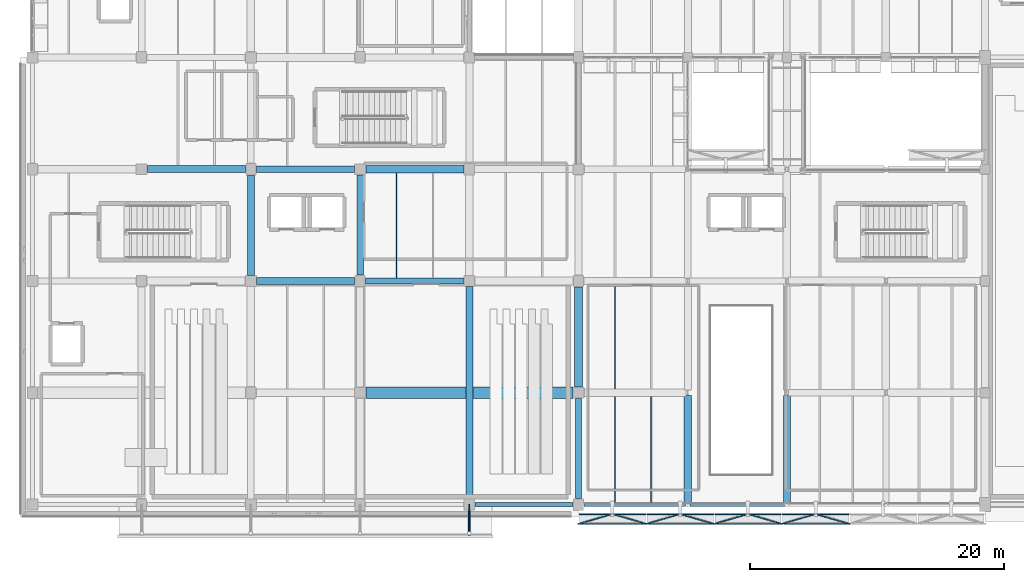
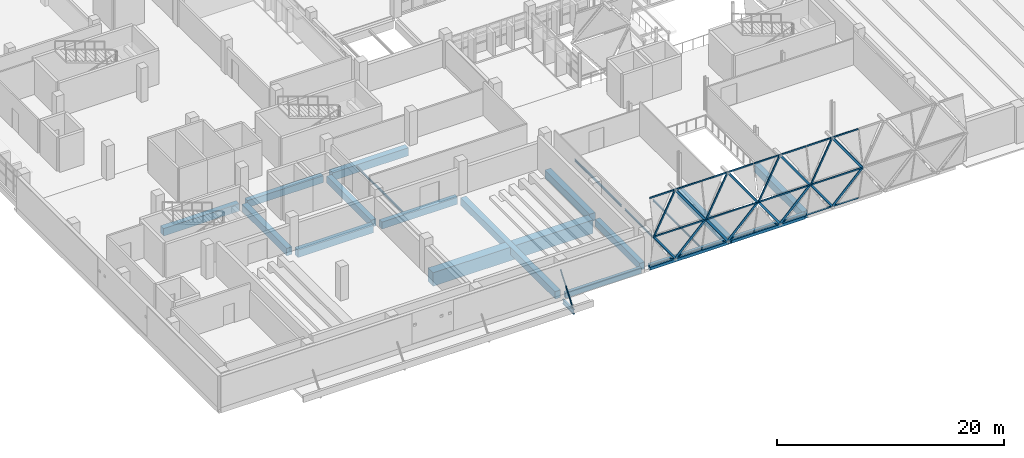
# One storey, part 8 of 80: 29 members, 21 beams, 4 elements without a shape of their own.
"""IFC4 building model written with IfcOpenShell, lengths in metres."""

from ifc_helpers import new_model, si_unit, direction, frame, origin, origin_2d, place, context, subcontext, project, spatial, rectangle, hollow_rectangle, hollow_circle, i_section, extrude, material, material_profile, profile_set, type_object, element, aggregate, save


model = new_model("IFC4")

# Units and contexts
model_context = context("Model", 3, precision=1e-05, world=origin(), true_north=direction((0.0, 1.0)))
body_context = subcontext(model_context, "Body", "Model", "MODEL_VIEW")
ifc_project = project(units=[si_unit("LENGTHUNIT", "METRE"), si_unit("AREAUNIT", "SQUARE_METRE"), si_unit("VOLUMEUNIT", "CUBIC_METRE"), si_unit("PLANEANGLEUNIT", "RADIAN"), si_unit("MASSUNIT", "GRAM", prefix="KILO")], contexts=[model_context])

# Site, building, storey
site_placement = place(None, origin())
site = spatial("IfcSite", under=ifc_project, at=site_placement, CompositionType="ELEMENT")
building_placement = place(site_placement, origin())
building = spatial("IfcBuilding", under=site, at=building_placement, Name="Varnakota Cinema and Media Centre", CompositionType="ELEMENT")
storey_placement = place(building_placement, frame((0.0, 0.0, 4.5)))
storey = spatial("IfcBuildingStorey", under=building, at=storey_placement, Name="L01", CompositionType="ELEMENT", Elevation=4.5)

# Beams
ifc_material_1 = material(Name="Concrete M35", Category="concrete")
ifc_material_profile_1 = material_profile(ifc_material_1, rectangle(XDim=0.5, YDim=0.75, at=origin_2d()), Name="RCB 500x750")
ifc_profile_set_1 = profile_set([ifc_material_profile_1], Name="Concrete M35")
beam_type_1 = type_object("IfcBeamType", Name="BM-RC-500x750", PredefinedType="BEAM", material=ifc_profile_set_1)
beam_1_placement = place(storey_placement, frame((26.22509765625, 17.60009765625, -0.625), z_axis=(1.0, 0.0, 0.0), x_axis=(0.0, 1.0, 0.0)))
element("IfcBeam", 1, at=beam_1_placement, inside=storey, type_object=beam_type_1, Name="L01 girder D-E/3", PredefinedType="BEAM", context=body_context, shape_type="SweptSolid", body=[
    extrude(rectangle(XDim=0.5, YDim=0.75, at=origin_2d()), origin(), (0.0, 0.0, 1.0), 7.724853515625),
])
beam_2_placement = place(storey_placement, frame((17.625, 26.39990234375, -0.625), z_axis=(1.0, 0.0, 0.0), x_axis=(0.0, 1.0, 0.0)))
element("IfcBeam", 2, at=beam_2_placement, inside=storey, type_object=beam_type_1, Name="L01 girder C-D/4", PredefinedType="BEAM", context=body_context, shape_type="SweptSolid", body=[
    extrude(rectangle(XDim=0.5, YDim=0.75, at=origin_2d()), origin(), (0.0, 0.0, 1.0), 7.72509765625),
])
for number, where, z_axis, x_axis, name in (
    (3, (25.800048828125, 18.074951171875, -0.625), (0.0, 1.0, 0.0), (-1.0, 0.0, 0.0), "L01 girder D/3-4"),
    (4, (43.0, 0.47509765625, -0.625), (0.0, 1.0, 0.0), (-1.0, 0.0, 0.0), "L01 girder F/1-2"),
):
    element("IfcBeam", number, at=place(storey_placement, frame(where, z_axis=z_axis, x_axis=x_axis)), inside=storey, type_object=beam_type_1, Name=name, PredefinedType="BEAM", context=body_context, shape_type="SweptSolid", body=[
        extrude(rectangle(XDim=0.5, YDim=0.75, at=origin_2d()), origin(), (0.0, 0.0, 1.0), 7.875),
    ])
ifc_material_2 = material(Name="Concrete M35", Category="concrete")
ifc_material_profile_2 = material_profile(ifc_material_2, rectangle(XDim=0.550048828125, YDim=0.800048828125, at=origin_2d()), Name="RCB 550x800")
ifc_profile_set_2 = profile_set([ifc_material_profile_2], Name="Concrete M35")
beam_type_2 = type_object("IfcBeamType", Name="BM-RC-550x800", PredefinedType="BEAM", material=ifc_profile_set_2)
beam_3_placement = place(storey_placement, frame((17.64990234375, 17.60009765625, -0.64990234375), z_axis=(1.0, 0.0, 0.0), x_axis=(0.0, 1.0, 0.0)))
element("IfcBeam", 5, at=beam_3_placement, inside=storey, type_object=beam_type_2, Name="L01 girder C-D/3", PredefinedType="BEAM", context=body_context, shape_type="SweptSolid", body=[
    extrude(rectangle(XDim=0.550048828125, YDim=0.800048828125, at=origin_2d()), origin(), (0.0, 0.0, 1.0), 7.72509765625),
])
beam_4_placement = place(storey_placement, frame((9.050048828125, 26.39990234375, -0.64990234375), z_axis=(1.0, 0.0, 0.0), x_axis=(0.0, 1.0, 0.0)))
element("IfcBeam", 6, at=beam_4_placement, inside=storey, type_object=beam_type_2, Name="L01 girder B-C/4", PredefinedType="BEAM", context=body_context, shape_type="SweptSolid", body=[
    extrude(rectangle(XDim=0.550048828125, YDim=0.800048828125, at=origin_2d()), origin(), (0.0, 0.0, 1.0), 7.724853515625),
])
beam_5_placement = place(storey_placement, frame((17.199951171875, 18.050048828125, -0.64990234375), z_axis=(0.0, 1.0, 0.0), x_axis=(-1.0, 0.0, 0.0)))
element("IfcBeam", 7, at=beam_5_placement, inside=storey, type_object=beam_type_2, Name="L01 girder C/3-4", PredefinedType="BEAM", context=body_context, shape_type="SweptSolid", body=[
    extrude(rectangle(XDim=0.550048828125, YDim=0.800048828125, at=origin_2d()), origin(), (0.0, 0.0, 1.0), 7.875),
])
beam_6_placement = place(storey_placement, frame((34.39990234375, 0.449951171875, -0.64990234375), z_axis=(0.0, 1.0, 0.0), x_axis=(-1.0, 0.0, 0.0)))
element("IfcBeam", 8, at=beam_6_placement, inside=storey, type_object=beam_type_2, Name="L01 girder E/1-3", PredefinedType="BEAM", context=body_context, shape_type="SweptSolid", body=[
    extrude(rectangle(XDim=0.550048828125, YDim=0.800048828125, at=origin_2d()), origin(), (0.0, 0.0, 1.0), 16.699951171875),
])
beam_7_placement = place(storey_placement, frame((59.39990234375, 0.162109375, -0.64990234375), z_axis=(0.0, 1.0, 0.0), x_axis=(-1.0, 0.0, 0.0)))
element("IfcBeam", 9, at=beam_7_placement, inside=storey, type_object=beam_type_2, Name="L01 girder H/1-2", PredefinedType="BEAM", context=body_context, shape_type="SweptSolid", body=[
    extrude(rectangle(XDim=0.550048828125, YDim=0.800048828125, at=origin_2d()), origin(), (0.0, 0.0, 1.0), 8.43798828125),
])
ifc_material_3 = material(Name="Concrete M35", Category="concrete")
ifc_material_profile_3 = material_profile(ifc_material_3, rectangle(XDim=0.60009765625, YDim=0.85009765625, at=origin_2d()), Name="RCB 600x850")
ifc_profile_set_3 = profile_set([ifc_material_profile_3], Name="Concrete M35")
beam_type_3 = type_object("IfcBeamType", Name="BM-RC-600x850", PredefinedType="BEAM", material=ifc_profile_set_3)
beam_8_placement = place(storey_placement, frame((26.25, 26.39990234375, -0.675048828125), z_axis=(1.0, 0.0, 0.0), x_axis=(0.0, 1.0, 0.0)))
element("IfcBeam", 10, at=beam_8_placement, inside=storey, type_object=beam_type_3, Name="L01 girder D-E/4", PredefinedType="BEAM", context=body_context, shape_type="SweptSolid", body=[
    extrude(rectangle(XDim=0.60009765625, YDim=0.85009765625, at=origin_2d()), origin(), (0.0, 0.0, 1.0), 7.72509765625),
])
beam_9_placement = place(storey_placement, frame((43.0, 9.25, -0.675048828125), z_axis=(0.0, 1.0, 0.0), x_axis=(-1.0, 0.0, 0.0)))
element("IfcBeam", 11, at=beam_9_placement, inside=storey, type_object=beam_type_3, Name="L01 girder F/2-3", PredefinedType="BEAM", context=body_context, shape_type="SweptSolid", body=[
    extrude(rectangle(XDim=0.60009765625, YDim=0.85009765625, at=origin_2d()), origin(), (0.0, 0.0, 1.0), 7.875),
])
beam_10_placement = place(storey_placement, frame((51.60009765625, 0.162109375, -0.675048828125), z_axis=(0.0, 1.0, 0.0), x_axis=(-1.0, 0.0, 0.0)))
element("IfcBeam", 12, at=beam_10_placement, inside=storey, type_object=beam_type_3, Name="L01 girder G/1-2", PredefinedType="BEAM", context=body_context, shape_type="SweptSolid", body=[
    extrude(rectangle(XDim=0.60009765625, YDim=0.85009765625, at=origin_2d()), origin(), (0.0, 0.0, 1.0), 8.43798828125),
])
ifc_material_4 = material(Name="Concrete M35", Category="concrete")
ifc_material_profile_4 = material_profile(ifc_material_4, rectangle(XDim=0.300048828125, YDim=0.60009765625, at=origin_2d()), Name="RCB 300x600")
ifc_profile_set_4 = profile_set([ifc_material_profile_4], Name="Concrete M35")
beam_type_4 = type_object("IfcBeamType", Name="BM-SP-300x600", PredefinedType="SPANDREL", material=ifc_profile_set_4)
beam_11_placement = place(storey_placement, frame((34.85009765625, 0.0, -0.550048828125), z_axis=(1.0, 0.0, 0.0), x_axis=(0.0, 1.0, 0.0)))
element("IfcBeam", 13, at=beam_11_placement, inside=storey, type_object=beam_type_4, Name="L01 girder E-F/1", PredefinedType="SPANDREL", context=body_context, shape_type="SweptSolid", body=[
    extrude(rectangle(XDim=0.300048828125, YDim=0.60009765625, at=origin_2d()), origin(), (0.0, 0.0, 1.0), 7.724853515625),
])
beam_12_placement = place(storey_placement, frame((43.425048828125, 0.0, -0.550048828125), z_axis=(1.0, 0.0, 0.0), x_axis=(0.0, 1.0, 0.0)))
element("IfcBeam", 14, at=beam_12_placement, inside=storey, type_object=beam_type_4, Name="L01 girder F-G/1", PredefinedType="SPANDREL", context=body_context, shape_type="SweptSolid", body=[
    extrude(rectangle(XDim=0.300048828125, YDim=0.60009765625, at=origin_2d()), origin(), (0.0, 0.0, 1.0), 8.012939453125),
])
beam_13_placement = place(storey_placement, frame((51.761962890625, 0.0, -0.550048828125), z_axis=(1.0, 0.0, 0.0), x_axis=(0.0, 1.0, 0.0)))
element("IfcBeam", 15, at=beam_13_placement, inside=storey, type_object=beam_type_4, Name="L01 girder G-H/1", PredefinedType="SPANDREL", context=body_context, shape_type="SweptSolid", body=[
    extrude(rectangle(XDim=0.300048828125, YDim=0.60009765625, at=origin_2d()), origin(), (0.0, 0.0, 1.0), 7.47607421875),
])
ifc_material_5 = material(Name="Structural steel Grade 350 (E350)", Category="steel")
ifc_material_profile_5 = material_profile(ifc_material_5, i_section(OverallWidth=0.10009765625, OverallDepth=0.199951171875, WebThickness=0.005615234375, FlangeThickness=0.0107421875, FilletRadius=0.010986328125, at=origin_2d()), Name="ISMB 200")
ifc_profile_set_5 = profile_set([ifc_material_profile_5], Name="Structural steel Grade 350 (E350)")
beam_type_5 = type_object("IfcBeamType", Name="BM-ST-ISMB200", PredefinedType="JOIST", material=ifc_profile_set_5)
beam_14_placement = place(storey_placement, frame((28.666748046875, 17.85009765625, -0.35009765625), z_axis=(0.0, 1.0, 0.0), x_axis=(-1.0, 0.0, 0.0)))
element("IfcBeam", 16, at=beam_14_placement, inside=storey, type_object=beam_type_5, Name="L01 steel joist D-E/3-4 #1", PredefinedType="JOIST", context=body_context, shape_type="SweptSolid", body=[
    extrude(i_section(OverallWidth=0.10009765625, OverallDepth=0.199951171875, WebThickness=0.005615234375, FlangeThickness=0.0107421875, FilletRadius=0.010986328125, at=origin_2d()), origin(), (0.0, 0.0, 1.0), 8.25),
])
for number, where, z_axis, x_axis, name in (
    (17, (45.86669921875, 0.14990234375, -0.35009765625), (0.0, 1.0, 0.0), (-1.0, 0.0, 0.0), "L01 steel joist F-G/1-2 #1"),
    (18, (48.7333984375, 0.14990234375, -0.35009765625), (0.0, 1.0, 0.0), (-1.0, 0.0, 0.0), "L01 steel joist F-G/1-2 #2"),
):
    element("IfcBeam", number, at=place(storey_placement, frame(where, z_axis=z_axis, x_axis=x_axis)), inside=storey, type_object=beam_type_5, Name=name, PredefinedType="JOIST", context=body_context, shape_type="SweptSolid", body=[
        extrude(i_section(OverallWidth=0.10009765625, OverallDepth=0.199951171875, WebThickness=0.005615234375, FlangeThickness=0.0107421875, FilletRadius=0.010986328125, at=origin_2d()), origin(), (0.0, 0.0, 1.0), 8.35009765625),
    ])
ifc_material_6 = material(Name="Structural steel Grade 350 (E350)", Category="steel")
ifc_material_profile_6 = material_profile(ifc_material_6, i_section(OverallWidth=0.110107421875, OverallDepth=0.22509765625, WebThickness=0.006591796875, FlangeThickness=0.01171875, FilletRadius=0.011962890625, at=origin_2d()), Name="ISMB 225")
ifc_profile_set_6 = profile_set([ifc_material_profile_6], Name="Structural steel Grade 350 (E350)")
beam_type_6 = type_object("IfcBeamType", Name="BM-ST-ISMB225", PredefinedType="JOIST", material=ifc_profile_set_6)
beam_15_placement = place(storey_placement, frame((45.86669921875, 9.10009765625, -0.362548828125), z_axis=(0.0, 1.0, 0.0), x_axis=(-1.0, 0.0, 0.0)))
element("IfcBeam", 19, at=beam_15_placement, inside=storey, type_object=beam_type_6, Name="L01 steel joist F-G/2-3 #1", PredefinedType="JOIST", context=body_context, shape_type="SweptSolid", body=[
    extrude(i_section(OverallWidth=0.110107421875, OverallDepth=0.22509765625, WebThickness=0.006591796875, FlangeThickness=0.01171875, FilletRadius=0.011962890625, at=origin_2d()), origin(), (0.0, 0.0, 1.0), 8.224853515625),
])
ifc_material_7 = material(Name="Structural steel Grade 350 (E350)", Category="steel")
ifc_material_profile_7 = material_profile(ifc_material_7, i_section(OverallWidth=0.179931640625, OverallDepth=0.5, WebThickness=0.01025390625, FlangeThickness=0.01708984375, FilletRadius=0.01708984375, at=origin_2d()), Name="ISMB 500")
ifc_profile_set_7 = profile_set([ifc_material_profile_7], Name="Structural steel Grade 350 (E350)")
beam_type_7 = type_object("IfcBeamType", Name="BM-ST-ISMB500", PredefinedType="BEAM", material=ifc_profile_set_7)
beam_16_placement = place(storey_placement, frame((34.39990234375, -0.449951171875, -0.800048828125), z_axis=(0.0, -1.0, 0.0), x_axis=(1.0, 0.0, 0.0)))
element("IfcBeam", 20, at=beam_16_placement, inside=storey, type_object=beam_type_7, Name="V4 cinema marquee continuous cantilever girder 4", PredefinedType="BEAM", context=body_context, shape_type="SweptSolid", body=[
    extrude(i_section(OverallWidth=0.179931640625, OverallDepth=0.5, WebThickness=0.01025390625, FlangeThickness=0.01708984375, FilletRadius=0.01708984375, at=origin_2d()), origin(), (0.0, 0.0, 1.0), 1.969970703125),
])
ifc_material_8 = material(Name="Concrete M50", Category="concrete")
ifc_material_profile_8 = material_profile(ifc_material_8, rectangle(XDim=0.89990234375, YDim=1.449951171875, at=origin_2d()), Name="RCB 900x1450")
ifc_profile_set_8 = profile_set([ifc_material_profile_8], Name="Concrete M50")
beam_type_8 = type_object("IfcBeamType", Name="BM-TG-900x1450", PredefinedType="BEAM", material=ifc_profile_set_8)
beam_17_placement = place(storey_placement, frame((26.25, 8.800048828125, -0.97509765625), z_axis=(1.0, 0.0, 0.0), x_axis=(0.0, 1.0, 0.0)))
element("IfcBeam", 21, at=beam_17_placement, inside=storey, type_object=beam_type_8, Name="L01 girder D-F/2", PredefinedType="BEAM", context=body_context, shape_type="SweptSolid", body=[
    extrude(rectangle(XDim=0.89990234375, YDim=1.449951171875, at=origin_2d()), origin(), (0.0, 0.0, 1.0), 16.300048828125),
])

# Curtain wall, members
ifc_material_9 = material(Name="Anodised golden-bronze aluminium AW-6063", Category="aluminium")
curtain_wall_type = type_object("IfcCurtainWallType", Name="CW-DMD-533x750", PredefinedType="USERDEFINED", material=ifc_material_9)
curtain_wall_1_placement = place(storey_placement, origin())
curtain_wall_1 = element("IfcCurtainWall", 22, at=curtain_wall_1_placement, inside=storey, type_object=curtain_wall_type, Name="L01 folded diamond foyer curtain wall CW-V6DMD-S-T1-D03", ObjectType="DIAMOND FOLDED CURTAIN WALL", PredefinedType="USERDEFINED")
ifc_material_10 = material(Name="Anodised golden-bronze aluminium AW-6063", Category="aluminium")
ifc_material_profile_9 = material_profile(ifc_material_10, hollow_rectangle(XDim=0.074951171875, YDim=0.219970703125, WallThickness=0.0048828125, InnerFilletRadius=0.0048828125, OuterFilletRadius=0.010009765625, at=origin_2d()), Name="AL-MULLION 220x75x5")
ifc_profile_set_9 = profile_set([ifc_material_profile_9], Name="Anodised golden-bronze aluminium AW-6063")
member_type_1 = type_object("IfcMemberType", Name="CWM-GOLD-220", PredefinedType="MULLION", material=ifc_profile_set_9)
member_1_placement = place(storey_placement, frame((61.666748046875, -0.75, 0.050048828125), z_axis=(0.570835305557, -0.165817097031, 0.804146593764), x_axis=(0.278950941627, 0.960305353607, 0.0)))
member_1 = element("IfcMember", 23, at=member_1_placement, type_object=member_type_1, Name="CW-V6DMD-S-T1-D03 folded diamond mullion 1", PredefinedType="MULLION", context=body_context, shape_type="SweptSolid", body=[
    extrude(hollow_rectangle(XDim=0.074951171875, YDim=0.219970703125, WallThickness=0.0048828125, InnerFilletRadius=0.0048828125, OuterFilletRadius=0.010009765625, at=origin_2d()), origin(), (0.0, 0.0, 1.0), 4.60107421875),
])
member_2_placement = place(storey_placement, frame((61.666748046875, -0.75, 0.050048828125), z_axis=(-0.570871075166, -0.165812074532, 0.804122236652), x_axis=(0.27892703164, -0.960312298693, 0.0)))
member_2 = element("IfcMember", 24, at=member_2_placement, type_object=member_type_1, Name="CW-V6DMD-S-T1-D03 folded diamond mullion 2", PredefinedType="MULLION", context=body_context, shape_type="SweptSolid", body=[
    extrude(hollow_rectangle(XDim=0.074951171875, YDim=0.219970703125, WallThickness=0.0048828125, InnerFilletRadius=0.0048828125, OuterFilletRadius=0.010009765625, at=origin_2d()), origin(), (0.0, 0.0, 1.0), 4.601318359375),
])
member_3_placement = place(storey_placement, frame((64.293212890625, -1.512939453125, 3.75), z_axis=(-0.570835305557, 0.165817097031, 0.804146593764), x_axis=(-0.278950941627, -0.960305353607, 0.0)))
member_3 = element("IfcMember", 25, at=member_3_placement, type_object=member_type_1, Name="CW-V6DMD-S-T1-D03 folded diamond mullion 3", PredefinedType="MULLION", context=body_context, shape_type="SweptSolid", body=[
    extrude(hollow_rectangle(XDim=0.074951171875, YDim=0.219970703125, WallThickness=0.0048828125, InnerFilletRadius=0.0048828125, OuterFilletRadius=0.010009765625, at=origin_2d()), origin(), (0.0, 0.0, 1.0), 4.60107421875),
])
member_4_placement = place(storey_placement, frame((59.0400390625, -1.512939453125, 3.75), z_axis=(0.570871075166, 0.165812074532, 0.804122236652), x_axis=(-0.27892703164, 0.960312298693, 0.0)))
member_4 = element("IfcMember", 26, at=member_4_placement, type_object=member_type_1, Name="CW-V6DMD-S-T1-D03 folded diamond mullion 4", PredefinedType="MULLION", context=body_context, shape_type="SweptSolid", body=[
    extrude(hollow_rectangle(XDim=0.074951171875, YDim=0.219970703125, WallThickness=0.0048828125, InnerFilletRadius=0.0048828125, OuterFilletRadius=0.010009765625, at=origin_2d()), origin(), (0.0, 0.0, 1.0), 4.601318359375),
])

curtain_wall_2_placement = place(storey_placement, origin())
curtain_wall_2 = element("IfcCurtainWall", 27, at=curtain_wall_2_placement, inside=storey, type_object=curtain_wall_type, Name="L01 folded diamond foyer curtain wall CW-V6DMD-S-T1-D04", ObjectType="DIAMOND FOLDED CURTAIN WALL", PredefinedType="USERDEFINED")
member_5_placement = place(storey_placement, frame((56.333251953125, -0.75, 0.050048828125), z_axis=(0.570871075166, -0.165812074532, 0.804122236652), x_axis=(0.27892703164, 0.960312298693, 0.0)))
member_5 = element("IfcMember", 28, at=member_5_placement, type_object=member_type_1, Name="CW-V6DMD-S-T1-D04 folded diamond mullion 1", PredefinedType="MULLION", context=body_context, shape_type="SweptSolid", body=[
    extrude(hollow_rectangle(XDim=0.074951171875, YDim=0.219970703125, WallThickness=0.0048828125, InnerFilletRadius=0.0048828125, OuterFilletRadius=0.010009765625, at=origin_2d()), origin(), (0.0, 0.0, 1.0), 4.601318359375),
])
member_6_placement = place(storey_placement, frame((56.333251953125, -0.75, 0.050048828125), z_axis=(-0.570835305557, -0.165817097031, 0.804146593764), x_axis=(0.278950941627, -0.960305353607, 0.0)))
member_6 = element("IfcMember", 29, at=member_6_placement, type_object=member_type_1, Name="CW-V6DMD-S-T1-D04 folded diamond mullion 2", PredefinedType="MULLION", context=body_context, shape_type="SweptSolid", body=[
    extrude(hollow_rectangle(XDim=0.074951171875, YDim=0.219970703125, WallThickness=0.0048828125, InnerFilletRadius=0.0048828125, OuterFilletRadius=0.010009765625, at=origin_2d()), origin(), (0.0, 0.0, 1.0), 4.60107421875),
])
member_7_placement = place(storey_placement, frame((58.9599609375, -1.512939453125, 3.75), z_axis=(-0.570871075166, 0.165812074532, 0.804122236652), x_axis=(-0.27892703164, -0.960312298693, 0.0)))
member_7 = element("IfcMember", 30, at=member_7_placement, type_object=member_type_1, Name="CW-V6DMD-S-T1-D04 folded diamond mullion 3", PredefinedType="MULLION", context=body_context, shape_type="SweptSolid", body=[
    extrude(hollow_rectangle(XDim=0.074951171875, YDim=0.219970703125, WallThickness=0.0048828125, InnerFilletRadius=0.0048828125, OuterFilletRadius=0.010009765625, at=origin_2d()), origin(), (0.0, 0.0, 1.0), 4.601318359375),
])
member_8_placement = place(storey_placement, frame((53.706787109375, -1.512939453125, 3.75), z_axis=(0.570835305557, 0.165817097031, 0.804146593764), x_axis=(-0.278950941627, 0.960305353607, 0.0)))
member_8 = element("IfcMember", 31, at=member_8_placement, type_object=member_type_1, Name="CW-V6DMD-S-T1-D04 folded diamond mullion 4", PredefinedType="MULLION", context=body_context, shape_type="SweptSolid", body=[
    extrude(hollow_rectangle(XDim=0.074951171875, YDim=0.219970703125, WallThickness=0.0048828125, InnerFilletRadius=0.0048828125, OuterFilletRadius=0.010009765625, at=origin_2d()), origin(), (0.0, 0.0, 1.0), 4.60107421875),
])

curtain_wall_3_placement = place(storey_placement, origin())
curtain_wall_3 = element("IfcCurtainWall", 32, at=curtain_wall_3_placement, inside=storey, type_object=curtain_wall_type, Name="L01 folded diamond foyer curtain wall CW-V6DMD-S-T1-D05", ObjectType="DIAMOND FOLDED CURTAIN WALL", PredefinedType="USERDEFINED")
member_9_placement = place(storey_placement, frame((51.0, -0.75, 0.050048828125), z_axis=(0.570871075166, -0.165812074532, 0.804122236652), x_axis=(0.27892703164, 0.960312298693, 0.0)))
member_9 = element("IfcMember", 33, at=member_9_placement, type_object=member_type_1, Name="CW-V6DMD-S-T1-D05 folded diamond mullion 1", PredefinedType="MULLION", context=body_context, shape_type="SweptSolid", body=[
    extrude(hollow_rectangle(XDim=0.074951171875, YDim=0.219970703125, WallThickness=0.0048828125, InnerFilletRadius=0.0048828125, OuterFilletRadius=0.010009765625, at=origin_2d()), origin(), (0.0, 0.0, 1.0), 4.601318359375),
])
member_10_placement = place(storey_placement, frame((51.0, -0.75, 0.050048828125), z_axis=(-0.570871075166, -0.165812074532, 0.804122236652), x_axis=(0.27892703164, -0.960312298693, 0.0)))
member_10 = element("IfcMember", 34, at=member_10_placement, type_object=member_type_1, Name="CW-V6DMD-S-T1-D05 folded diamond mullion 2", PredefinedType="MULLION", context=body_context, shape_type="SweptSolid", body=[
    extrude(hollow_rectangle(XDim=0.074951171875, YDim=0.219970703125, WallThickness=0.0048828125, InnerFilletRadius=0.0048828125, OuterFilletRadius=0.010009765625, at=origin_2d()), origin(), (0.0, 0.0, 1.0), 4.601318359375),
])
member_11_placement = place(storey_placement, frame((53.626708984375, -1.512939453125, 3.75), z_axis=(-0.570871075166, 0.165812074532, 0.804122236652), x_axis=(-0.27892703164, -0.960312298693, 0.0)))
member_11 = element("IfcMember", 35, at=member_11_placement, type_object=member_type_1, Name="CW-V6DMD-S-T1-D05 folded diamond mullion 3", PredefinedType="MULLION", context=body_context, shape_type="SweptSolid", body=[
    extrude(hollow_rectangle(XDim=0.074951171875, YDim=0.219970703125, WallThickness=0.0048828125, InnerFilletRadius=0.0048828125, OuterFilletRadius=0.010009765625, at=origin_2d()), origin(), (0.0, 0.0, 1.0), 4.601318359375),
])
member_12_placement = place(storey_placement, frame((48.373291015625, -1.512939453125, 3.75), z_axis=(0.570871075166, 0.165812074532, 0.804122236652), x_axis=(-0.27892703164, 0.960312298693, 0.0)))
member_12 = element("IfcMember", 36, at=member_12_placement, type_object=member_type_1, Name="CW-V6DMD-S-T1-D05 folded diamond mullion 4", PredefinedType="MULLION", context=body_context, shape_type="SweptSolid", body=[
    extrude(hollow_rectangle(XDim=0.074951171875, YDim=0.219970703125, WallThickness=0.0048828125, InnerFilletRadius=0.0048828125, OuterFilletRadius=0.010009765625, at=origin_2d()), origin(), (0.0, 0.0, 1.0), 4.601318359375),
])

curtain_wall_4_placement = place(storey_placement, origin())
curtain_wall_4 = element("IfcCurtainWall", 37, at=curtain_wall_4_placement, inside=storey, type_object=curtain_wall_type, Name="L01 folded diamond foyer curtain wall CW-V6DMD-S-T1-D06", ObjectType="DIAMOND FOLDED CURTAIN WALL", PredefinedType="USERDEFINED")
member_13_placement = place(storey_placement, frame((45.666748046875, -0.75, 0.050048828125), z_axis=(0.570835305557, -0.165817097031, 0.804146593764), x_axis=(0.278950941627, 0.960305353607, 0.0)))
member_13 = element("IfcMember", 38, at=member_13_placement, type_object=member_type_1, Name="CW-V6DMD-S-T1-D06 folded diamond mullion 1", PredefinedType="MULLION", context=body_context, shape_type="SweptSolid", body=[
    extrude(hollow_rectangle(XDim=0.074951171875, YDim=0.219970703125, WallThickness=0.0048828125, InnerFilletRadius=0.0048828125, OuterFilletRadius=0.010009765625, at=origin_2d()), origin(), (0.0, 0.0, 1.0), 4.60107421875),
])
member_14_placement = place(storey_placement, frame((45.666748046875, -0.75, 0.050048828125), z_axis=(-0.570871075166, -0.165812074532, 0.804122236652), x_axis=(0.27892703164, -0.960312298693, 0.0)))
member_14 = element("IfcMember", 39, at=member_14_placement, type_object=member_type_1, Name="CW-V6DMD-S-T1-D06 folded diamond mullion 2", PredefinedType="MULLION", context=body_context, shape_type="SweptSolid", body=[
    extrude(hollow_rectangle(XDim=0.074951171875, YDim=0.219970703125, WallThickness=0.0048828125, InnerFilletRadius=0.0048828125, OuterFilletRadius=0.010009765625, at=origin_2d()), origin(), (0.0, 0.0, 1.0), 4.601318359375),
])
member_15_placement = place(storey_placement, frame((48.293212890625, -1.512939453125, 3.75), z_axis=(-0.570835305557, 0.165817097031, 0.804146593764), x_axis=(-0.278950941627, -0.960305353607, 0.0)))
member_15 = element("IfcMember", 40, at=member_15_placement, type_object=member_type_1, Name="CW-V6DMD-S-T1-D06 folded diamond mullion 3", PredefinedType="MULLION", context=body_context, shape_type="SweptSolid", body=[
    extrude(hollow_rectangle(XDim=0.074951171875, YDim=0.219970703125, WallThickness=0.0048828125, InnerFilletRadius=0.0048828125, OuterFilletRadius=0.010009765625, at=origin_2d()), origin(), (0.0, 0.0, 1.0), 4.60107421875),
])
member_16_placement = place(storey_placement, frame((43.0400390625, -1.512939453125, 3.75), z_axis=(0.570871075166, 0.165812074532, 0.804122236652), x_axis=(-0.27892703164, 0.960312298693, 0.0)))
member_16 = element("IfcMember", 41, at=member_16_placement, type_object=member_type_1, Name="CW-V6DMD-S-T1-D06 folded diamond mullion 4", PredefinedType="MULLION", context=body_context, shape_type="SweptSolid", body=[
    extrude(hollow_rectangle(XDim=0.074951171875, YDim=0.219970703125, WallThickness=0.0048828125, InnerFilletRadius=0.0048828125, OuterFilletRadius=0.010009765625, at=origin_2d()), origin(), (0.0, 0.0, 1.0), 4.601318359375),
])

# Member
ifc_material_11 = material(Name="Anodised golden-bronze aluminium AW-6063", Category="aluminium")
ifc_material_profile_10 = material_profile(ifc_material_11, hollow_rectangle(XDim=0.074951171875, YDim=0.159912109375, WallThickness=0.00390625, InnerFilletRadius=0.00390625, OuterFilletRadius=0.008056640625, at=origin_2d()), Name="AL-TRANSOM 160x75x4")
ifc_profile_set_10 = profile_set([ifc_material_profile_10], Name="Anodised golden-bronze aluminium AW-6063")
member_type_2 = type_object("IfcMemberType", Name="CWT-GOLD-160", PredefinedType="USERDEFINED", material=ifc_profile_set_10)
member_17_placement = place(storey_placement, frame((64.293212890625, -0.75, 0.050048828125), z_axis=(-1.0, 0.0, 0.0), x_axis=(0.0, -1.0, 0.0)))
member_17 = element("IfcMember", 42, at=member_17_placement, type_object=member_type_2, Name="CW-V6DMD-S-T1-D03 folded diamond transom 1", ObjectType="TRANSOM", PredefinedType="USERDEFINED", context=body_context, shape_type="SweptSolid", body=[
    extrude(hollow_rectangle(XDim=0.074951171875, YDim=0.159912109375, WallThickness=0.00390625, InnerFilletRadius=0.00390625, OuterFilletRadius=0.008056640625, at=origin_2d()), origin(), (0.0, 0.0, 1.0), 5.253173828125),
])

member_18_placement = place(storey_placement, frame((64.193359375, -1.512939453125, 3.75), z_axis=(-1.0, 0.0, 0.0), x_axis=(0.0, -1.0, 0.0)))
member_18 = element("IfcMember", 43, at=member_18_placement, type_object=member_type_2, Name="CW-V6DMD-S-T1-D03 folded diamond transom 2", ObjectType="TRANSOM", PredefinedType="USERDEFINED", context=body_context, shape_type="SweptSolid", body=[
    extrude(hollow_rectangle(XDim=0.074951171875, YDim=0.159912109375, WallThickness=0.00390625, InnerFilletRadius=0.00390625, OuterFilletRadius=0.008056640625, at=origin_2d()), origin(), (0.0, 0.0, 1.0), 5.053466796875),
])

member_19_placement = place(storey_placement, frame((64.293212890625, -0.75, 7.449951171875), z_axis=(-1.0, 0.0, 0.0), x_axis=(0.0, -1.0, 0.0)))
member_19 = element("IfcMember", 44, at=member_19_placement, type_object=member_type_2, Name="CW-V6DMD-S-T1-D03 folded diamond transom 3", ObjectType="TRANSOM", PredefinedType="USERDEFINED", context=body_context, shape_type="SweptSolid", body=[
    extrude(hollow_rectangle(XDim=0.074951171875, YDim=0.159912109375, WallThickness=0.00390625, InnerFilletRadius=0.00390625, OuterFilletRadius=0.008056640625, at=origin_2d()), origin(), (0.0, 0.0, 1.0), 5.253173828125),
])

aggregate(curtain_wall_1, [member_1, member_2, member_3, member_4, member_17, member_18, member_19])

member_20_placement = place(storey_placement, frame((58.9599609375, -0.75, 0.050048828125), z_axis=(-1.0, 0.0, 0.0), x_axis=(0.0, -1.0, 0.0)))
member_20 = element("IfcMember", 45, at=member_20_placement, type_object=member_type_2, Name="CW-V6DMD-S-T1-D04 folded diamond transom 1", ObjectType="TRANSOM", PredefinedType="USERDEFINED", context=body_context, shape_type="SweptSolid", body=[
    extrude(hollow_rectangle(XDim=0.074951171875, YDim=0.159912109375, WallThickness=0.00390625, InnerFilletRadius=0.00390625, OuterFilletRadius=0.008056640625, at=origin_2d()), origin(), (0.0, 0.0, 1.0), 5.253173828125),
])

member_21_placement = place(storey_placement, frame((58.860107421875, -1.512939453125, 3.75), z_axis=(-1.0, 0.0, 0.0), x_axis=(0.0, -1.0, 0.0)))
member_21 = element("IfcMember", 46, at=member_21_placement, type_object=member_type_2, Name="CW-V6DMD-S-T1-D04 folded diamond transom 2", ObjectType="TRANSOM", PredefinedType="USERDEFINED", context=body_context, shape_type="SweptSolid", body=[
    extrude(hollow_rectangle(XDim=0.074951171875, YDim=0.159912109375, WallThickness=0.00390625, InnerFilletRadius=0.00390625, OuterFilletRadius=0.008056640625, at=origin_2d()), origin(), (0.0, 0.0, 1.0), 5.053466796875),
])

member_22_placement = place(storey_placement, frame((58.9599609375, -0.75, 7.449951171875), z_axis=(-1.0, 0.0, 0.0), x_axis=(0.0, -1.0, 0.0)))
member_22 = element("IfcMember", 47, at=member_22_placement, type_object=member_type_2, Name="CW-V6DMD-S-T1-D04 folded diamond transom 3", ObjectType="TRANSOM", PredefinedType="USERDEFINED", context=body_context, shape_type="SweptSolid", body=[
    extrude(hollow_rectangle(XDim=0.074951171875, YDim=0.159912109375, WallThickness=0.00390625, InnerFilletRadius=0.00390625, OuterFilletRadius=0.008056640625, at=origin_2d()), origin(), (0.0, 0.0, 1.0), 5.253173828125),
])

aggregate(curtain_wall_2, [member_5, member_6, member_7, member_8, member_20, member_21, member_22])

member_23_placement = place(storey_placement, frame((53.626708984375, -0.75, 0.050048828125), z_axis=(-1.0, 0.0, 0.0), x_axis=(0.0, -1.0, 0.0)))
member_23 = element("IfcMember", 48, at=member_23_placement, type_object=member_type_2, Name="CW-V6DMD-S-T1-D05 folded diamond transom 1", ObjectType="TRANSOM", PredefinedType="USERDEFINED", context=body_context, shape_type="SweptSolid", body=[
    extrude(hollow_rectangle(XDim=0.074951171875, YDim=0.159912109375, WallThickness=0.00390625, InnerFilletRadius=0.00390625, OuterFilletRadius=0.008056640625, at=origin_2d()), origin(), (0.0, 0.0, 1.0), 5.25341796875),
])

member_24_placement = place(storey_placement, frame((53.526611328125, -1.512939453125, 3.75), z_axis=(-1.0, 0.0, 0.0), x_axis=(0.0, -1.0, 0.0)))
member_24 = element("IfcMember", 49, at=member_24_placement, type_object=member_type_2, Name="CW-V6DMD-S-T1-D05 folded diamond transom 2", ObjectType="TRANSOM", PredefinedType="USERDEFINED", context=body_context, shape_type="SweptSolid", body=[
    extrude(hollow_rectangle(XDim=0.074951171875, YDim=0.159912109375, WallThickness=0.00390625, InnerFilletRadius=0.00390625, OuterFilletRadius=0.008056640625, at=origin_2d()), origin(), (0.0, 0.0, 1.0), 5.05322265625),
])

member_25_placement = place(storey_placement, frame((53.626708984375, -0.75, 7.449951171875), z_axis=(-1.0, 0.0, 0.0), x_axis=(0.0, -1.0, 0.0)))
member_25 = element("IfcMember", 50, at=member_25_placement, type_object=member_type_2, Name="CW-V6DMD-S-T1-D05 folded diamond transom 3", ObjectType="TRANSOM", PredefinedType="USERDEFINED", context=body_context, shape_type="SweptSolid", body=[
    extrude(hollow_rectangle(XDim=0.074951171875, YDim=0.159912109375, WallThickness=0.00390625, InnerFilletRadius=0.00390625, OuterFilletRadius=0.008056640625, at=origin_2d()), origin(), (0.0, 0.0, 1.0), 5.25341796875),
])

aggregate(curtain_wall_3, [member_9, member_10, member_11, member_12, member_23, member_24, member_25])

member_26_placement = place(storey_placement, frame((48.293212890625, -0.75, 0.050048828125), z_axis=(-1.0, 0.0, 0.0), x_axis=(0.0, -1.0, 0.0)))
member_26 = element("IfcMember", 51, at=member_26_placement, type_object=member_type_2, Name="CW-V6DMD-S-T1-D06 folded diamond transom 1", ObjectType="TRANSOM", PredefinedType="USERDEFINED", context=body_context, shape_type="SweptSolid", body=[
    extrude(hollow_rectangle(XDim=0.074951171875, YDim=0.159912109375, WallThickness=0.00390625, InnerFilletRadius=0.00390625, OuterFilletRadius=0.008056640625, at=origin_2d()), origin(), (0.0, 0.0, 1.0), 5.253173828125),
])

member_27_placement = place(storey_placement, frame((48.193359375, -1.512939453125, 3.75), z_axis=(-1.0, 0.0, 0.0), x_axis=(0.0, -1.0, 0.0)))
member_27 = element("IfcMember", 52, at=member_27_placement, type_object=member_type_2, Name="CW-V6DMD-S-T1-D06 folded diamond transom 2", ObjectType="TRANSOM", PredefinedType="USERDEFINED", context=body_context, shape_type="SweptSolid", body=[
    extrude(hollow_rectangle(XDim=0.074951171875, YDim=0.159912109375, WallThickness=0.00390625, InnerFilletRadius=0.00390625, OuterFilletRadius=0.008056640625, at=origin_2d()), origin(), (0.0, 0.0, 1.0), 5.053466796875),
])

member_28_placement = place(storey_placement, frame((48.293212890625, -0.75, 7.449951171875), z_axis=(-1.0, 0.0, 0.0), x_axis=(0.0, -1.0, 0.0)))
member_28 = element("IfcMember", 53, at=member_28_placement, type_object=member_type_2, Name="CW-V6DMD-S-T1-D06 folded diamond transom 3", ObjectType="TRANSOM", PredefinedType="USERDEFINED", context=body_context, shape_type="SweptSolid", body=[
    extrude(hollow_rectangle(XDim=0.074951171875, YDim=0.159912109375, WallThickness=0.00390625, InnerFilletRadius=0.00390625, OuterFilletRadius=0.008056640625, at=origin_2d()), origin(), (0.0, 0.0, 1.0), 5.253173828125),
])

aggregate(curtain_wall_4, [member_13, member_14, member_15, member_16, member_26, member_27, member_28])

ifc_material_12 = material(Name="Structural steel S355 (YSt 355)", Category="steel")
ifc_material_profile_11 = material_profile(ifc_material_12, hollow_circle(Radius=0.06982421875, WallThickness=0.006103515625, at=origin_2d()), Name="CHS 139.7x6.0")
ifc_profile_set_11 = profile_set([ifc_material_profile_11], Name="Structural steel S355 (YSt 355)")
member_type_3 = type_object("IfcMemberType", Name="MEM-ST-CHS139_7x6_0", PredefinedType="CHORD", material=ifc_profile_set_11)
member_29_placement = place(storey_placement, frame((34.39990234375, -2.25, -0.56005859375), z_axis=(0.0, 0.611659036583, 0.791121496969), x_axis=(-1.0, 0.0, 0.0)))
element("IfcMember", 54, at=member_29_placement, inside=storey, type_object=member_type_3, Name="V4 cinema marquee diagonal tension hanger 4", PredefinedType="CHORD", context=body_context, shape_type="SweptSolid", body=[
    extrude(hollow_circle(Radius=0.06982421875, WallThickness=0.006103515625, at=origin_2d()), origin(), (0.0, 0.0, 1.0), 3.678466796875),
])

save(model, "model.ifc")
